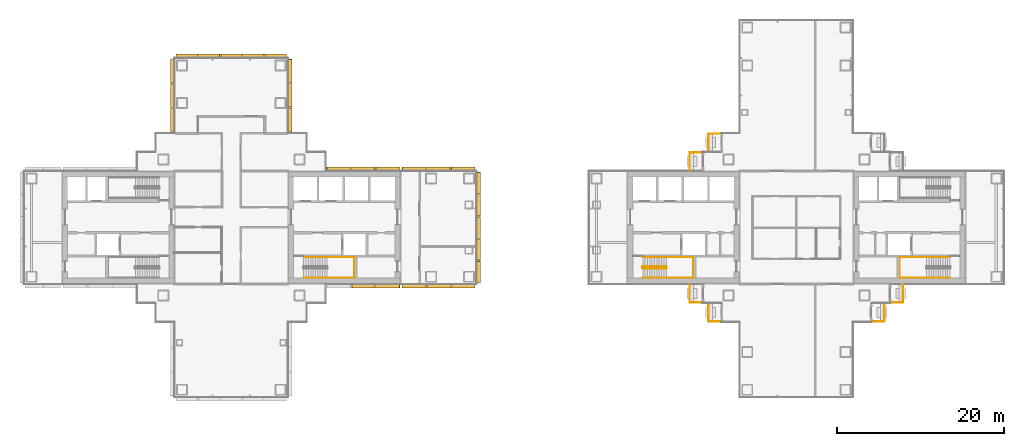
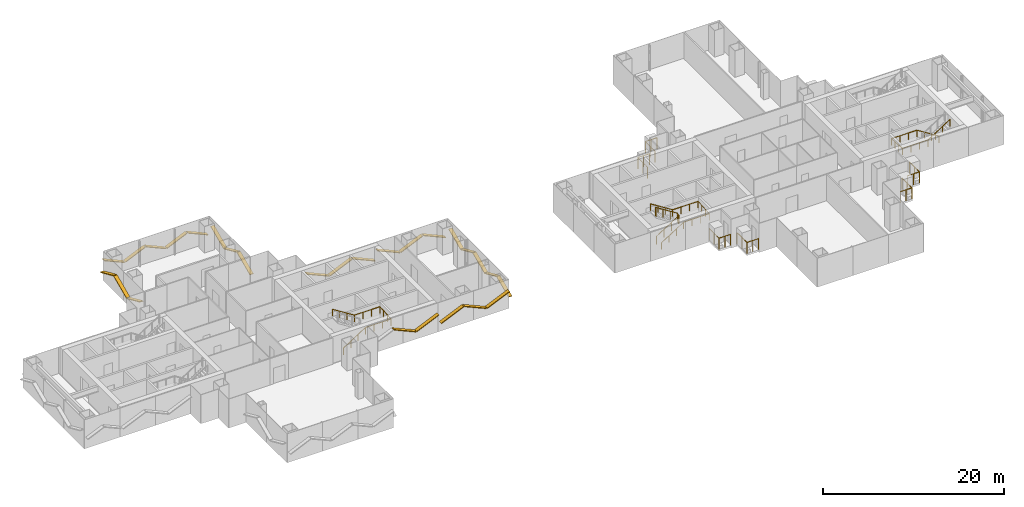
# One storey, part 17 of 19: 27 shading devices, 10 railings.
"""IFC4 building model written with IfcOpenShell, lengths in metres."""

from ifc_helpers import new_model, si_unit, direction, frame, origin, origin_2d, place, context, subcontext, project, spatial, rectangle, circle, extrude, material, material_profile, profile_set, type_object, element, save


model = new_model("IFC4")

# Units and contexts
model_context = context("Model", 3, precision=1e-05, world=origin(), true_north=direction((0.0, 1.0)))
body_context = subcontext(model_context, "Body", "Model", "MODEL_VIEW")
ifc_project = project(units=[si_unit("LENGTHUNIT", "METRE"), si_unit("AREAUNIT", "SQUARE_METRE"), si_unit("VOLUMEUNIT", "CUBIC_METRE"), si_unit("PLANEANGLEUNIT", "RADIAN"), si_unit("MASSUNIT", "GRAM", prefix="KILO")], contexts=[model_context])

# Site, building, storey
site_placement = place(None, origin())
site = spatial("IfcSite", under=ifc_project, at=site_placement, CompositionType="ELEMENT")
building_placement = place(site_placement, origin())
building = spatial("IfcBuilding", under=site, at=building_placement, Name="Shamsa Quay Exchange Towers", CompositionType="ELEMENT")
storey_placement = place(building_placement, frame((0.0, 0.0, 93.60009765625)))
storey = spatial("IfcBuildingStorey", under=building, at=storey_placement, Name="L21", CompositionType="ELEMENT", Elevation=93.60009765625)

# Railings
ifc_material_1 = material(Name="Steel S355, black powder-coated", Category="steel")
railing_type_1 = type_object("IfcRailingType", Name="BALCONY GUARD 1500", PredefinedType="GUARDRAIL", material=ifc_material_1)
for number, where, name in (
    (1, (24.72900390625, 11.199951171875, 0.0), "Balcony guard T2-PKEN L21"),
    (2, (22.47900390625, 8.949951171875, 0.0), "Balcony guard T2-PKEN L21"),
):
    element("IfcRailing", number, at=place(storey_placement, frame(where)), inside=storey, type_object=railing_type_1, Name=name, PredefinedType="GUARDRAIL", context=body_context, shape_type="SweptSolid", body=[
        extrude(circle(Radius=0.02392578125, at=origin_2d()), frame((0.0, 0.0, 1.47607421875), z_axis=(-1.0, 0.0, 0.0), x_axis=(0.0, -1.0, 0.0)), (0.0, 0.0, 1.0), 1.47900390625),
        extrude(circle(Radius=0.02392578125, at=origin_2d()), frame((-1.47900390625, 0.0, 1.47607421875), z_axis=(0.0, -1.0, 0.0), x_axis=(1.0, 0.0, 0.0)), (0.0, 0.0, 1.0), 2.161865234375),
        extrude(circle(Radius=0.02099609375, at=origin_2d()), origin(), (0.0, 0.0, 1.0), 1.451904296875),
        extrude(circle(Radius=0.02099609375, at=origin_2d()), frame((-0.739501953125, 0.0, 0.0)), (0.0, 0.0, 1.0), 1.451904296875),
        extrude(circle(Radius=0.02099609375, at=origin_2d()), frame((-1.47900390625, 0.0, 0.0)), (0.0, 0.0, 1.0), 1.451904296875),
        extrude(circle(Radius=0.02099609375, at=origin_2d()), frame((-1.47900390625, -1.0810546875, 0.0)), (0.0, 0.0, 1.0), 1.451904296875),
        extrude(circle(Radius=0.02099609375, at=origin_2d()), frame((-1.47900390625, -2.161865234375, 0.0)), (0.0, 0.0, 1.0), 1.451904296875),
    ])
for number, where, name in (
    (3, (21.0, -6.7880859375, 0.0), "Balcony guard T2-PKWN L21"),
    (4, (23.25, -9.0380859375, 0.0), "Balcony guard T2-PKWN L21"),
):
    element("IfcRailing", number, at=place(storey_placement, frame(where)), inside=storey, type_object=railing_type_1, Name=name, PredefinedType="GUARDRAIL", context=body_context, shape_type="SweptSolid", body=[
        extrude(circle(Radius=0.02392578125, at=origin_2d()), frame((0.0, 0.0, 1.47607421875), z_axis=(0.0, -1.0, 0.0), x_axis=(1.0, 0.0, 0.0)), (0.0, 0.0, 1.0), 2.161865234375),
        extrude(circle(Radius=0.02392578125, at=origin_2d()), frame((0.0, -2.161865234375, 1.47607421875), z_axis=(1.0, 0.0, 0.0), x_axis=(0.0, 1.0, 0.0)), (0.0, 0.0, 1.0), 1.47900390625),
        extrude(circle(Radius=0.02099609375, at=origin_2d()), origin(), (0.0, 0.0, 1.0), 1.451904296875),
        extrude(circle(Radius=0.02099609375, at=origin_2d()), frame((0.0, -1.0810546875, 0.0)), (0.0, 0.0, 1.0), 1.451904296875),
        extrude(circle(Radius=0.02099609375, at=origin_2d()), frame((0.0, -2.161865234375, 0.0)), (0.0, 0.0, 1.0), 1.451904296875),
        extrude(circle(Radius=0.02099609375, at=origin_2d()), frame((0.739501953125, -2.161865234375, 0.0)), (0.0, 0.0, 1.0), 1.451904296875),
        extrude(circle(Radius=0.02099609375, at=origin_2d()), frame((1.47900390625, -2.161865234375, 0.0)), (0.0, 0.0, 1.0), 1.451904296875),
    ])
for number, where, name in (
    (5, (42.77099609375, -11.199951171875, 0.0), "Balcony guard T2-PKWS L21"),
    (6, (45.02099609375, -8.949951171875, 0.0), "Balcony guard T2-PKWS L21"),
):
    element("IfcRailing", number, at=place(storey_placement, frame(where)), inside=storey, type_object=railing_type_1, Name=name, PredefinedType="GUARDRAIL", context=body_context, shape_type="SweptSolid", body=[
        extrude(circle(Radius=0.02392578125, at=origin_2d()), frame((0.0, 0.0, 1.47607421875), z_axis=(1.0, 0.0, 0.0), x_axis=(0.0, 1.0, 0.0)), (0.0, 0.0, 1.0), 1.47900390625),
        extrude(circle(Radius=0.02392578125, at=origin_2d()), frame((1.47900390625, 0.0, 1.47607421875), z_axis=(0.0, 1.0, 0.0), x_axis=(-1.0, 0.0, 0.0)), (0.0, 0.0, 1.0), 2.161865234375),
        extrude(circle(Radius=0.02099609375, at=origin_2d()), origin(), (0.0, 0.0, 1.0), 1.451904296875),
        extrude(circle(Radius=0.02099609375, at=origin_2d()), frame((0.739501953125, 0.0, 0.0)), (0.0, 0.0, 1.0), 1.451904296875),
        extrude(circle(Radius=0.02099609375, at=origin_2d()), frame((1.47900390625, 0.0, 0.0)), (0.0, 0.0, 1.0), 1.451904296875),
        extrude(circle(Radius=0.02099609375, at=origin_2d()), frame((1.47900390625, 1.0810546875, 0.0)), (0.0, 0.0, 1.0), 1.451904296875),
        extrude(circle(Radius=0.02099609375, at=origin_2d()), frame((1.47900390625, 2.161865234375, 0.0)), (0.0, 0.0, 1.0), 1.451904296875),
    ])

# Shading devices
ifc_material_2 = material(Name="Aluminium EN AW-6063 T6, black anodised", Category="aluminium")
ifc_material_profile = material_profile(ifc_material_2, rectangle(XDim=0.449951171875, YDim=0.10009765625, at=origin_2d()), Name="FIN450x100")
ifc_profile_set = profile_set([ifc_material_profile], Name="Aluminium EN AW-6063 T6, black anodised")
shading_device_type = type_object("IfcShadingDeviceType", Name="FIN 450x100 BLACK ALUMINIUM", PredefinedType="USERDEFINED", material=ifc_profile_set)
shading_device_1_placement = place(storey_placement, frame((-19.374755859375, -7.01904296875, 2.220458984375), z_axis=(0.913550687431, 0.0, -0.406724896576), x_axis=(0.0, 1.0, 0.0)))
element("IfcShadingDevice", 7, at=shading_device_1_placement, inside=storey, type_object=shading_device_type, Name="FIN T1 chevron rib", ObjectType="FIN", PredefinedType="USERDEFINED", context=body_context, shape_type="SweptSolid", body=[
    extrude(rectangle(XDim=0.449951171875, YDim=0.10009765625, at=origin_2d()), origin(), (0.0, 0.0, 1.0), 3.051025390625),
])
shading_device_2_placement = place(storey_placement, frame((-16.4873046875, -7.01904296875, 0.96826171875), z_axis=(0.913558535862, 0.0, 0.406707267643), x_axis=(0.0, 1.0, 0.0)))
element("IfcShadingDevice", 8, at=shading_device_2_placement, inside=storey, type_object=shading_device_type, Name="FIN T1 chevron rib", ObjectType="FIN", PredefinedType="USERDEFINED", context=body_context, shape_type="SweptSolid", body=[
    extrude(rectangle(XDim=0.449951171875, YDim=0.10009765625, at=origin_2d()), origin(), (0.0, 0.0, 1.0), 3.10595703125),
])
shading_device_3_placement = place(storey_placement, frame((-13.35009765625, -7.014892578125, 0.96533203125), z_axis=(0.913533816972, 0.0, 0.406762787444), x_axis=(0.0, 1.0, 0.0)))
element("IfcShadingDevice", 9, at=shading_device_3_placement, inside=storey, type_object=shading_device_type, Name="FIN T1 chevron rib", ObjectType="FIN", PredefinedType="USERDEFINED", context=body_context, shape_type="SweptSolid", body=[
    extrude(rectangle(XDim=0.449951171875, YDim=0.10009765625, at=origin_2d()), origin(), (0.0, 0.0, 1.0), 3.119873046875),
])
shading_device_4_placement = place(storey_placement, frame((-10.39990234375, -7.014892578125, 2.22314453125), z_axis=(0.913541981537, 0.0, -0.406744450447), x_axis=(0.0, 1.0, 0.0)))
element("IfcShadingDevice", 10, at=shading_device_4_placement, inside=storey, type_object=shading_device_type, Name="FIN T1 chevron rib", ObjectType="FIN", PredefinedType="USERDEFINED", context=body_context, shape_type="SweptSolid", body=[
    extrude(rectangle(XDim=0.449951171875, YDim=0.10009765625, at=origin_2d()), origin(), (0.0, 0.0, 1.0), 3.064697265625),
])
shading_device_5_placement = place(storey_placement, frame((-7.5, -7.014892578125, 0.96533203125), z_axis=(0.913533816972, 0.0, 0.406762787444), x_axis=(0.0, 1.0, 0.0)))
element("IfcShadingDevice", 11, at=shading_device_5_placement, inside=storey, type_object=shading_device_type, Name="FIN T1 chevron rib", ObjectType="FIN", PredefinedType="USERDEFINED", context=body_context, shape_type="SweptSolid", body=[
    extrude(rectangle(XDim=0.449951171875, YDim=0.10009765625, at=origin_2d()), origin(), (0.0, 0.0, 1.0), 3.119873046875),
])
shading_device_6_placement = place(storey_placement, frame((-4.235107421875, -6.60009765625, 1.0234375), z_axis=(0.0, 0.91355925163, 0.406705659859), x_axis=(-1.0, 0.0, 0.0)))
element("IfcShadingDevice", 12, at=shading_device_6_placement, inside=storey, type_object=shading_device_type, Name="FIN T1 chevron rib", ObjectType="FIN", PredefinedType="USERDEFINED", context=body_context, shape_type="SweptSolid", body=[
    extrude(rectangle(XDim=0.449951171875, YDim=0.10009765625, at=origin_2d()), origin(), (0.0, 0.0, 1.0), 2.835205078125),
])
shading_device_7_placement = place(storey_placement, frame((-4.235107421875, -3.909912109375, 2.165283203125), z_axis=(0.0, 0.913536125794, -0.406757602103), x_axis=(-1.0, 0.0, 0.0)))
element("IfcShadingDevice", 13, at=shading_device_7_placement, inside=storey, type_object=shading_device_type, Name="FIN T1 chevron rib", ObjectType="FIN", PredefinedType="USERDEFINED", context=body_context, shape_type="SweptSolid", body=[
    extrude(rectangle(XDim=0.449951171875, YDim=0.10009765625, at=origin_2d()), origin(), (0.0, 0.0, 1.0), 2.7802734375),
])
shading_device_8_placement = place(storey_placement, frame((-4.235107421875, -1.27001953125, 1.034423828125), z_axis=(0.0, 0.913550653139, 0.4067249736), x_axis=(-1.0, 0.0, 0.0)))
element("IfcShadingDevice", 14, at=shading_device_8_placement, inside=storey, type_object=shading_device_type, Name="FIN T1 chevron rib", ObjectType="FIN", PredefinedType="USERDEFINED", context=body_context, shape_type="SweptSolid", body=[
    extrude(rectangle(XDim=0.449951171875, YDim=0.10009765625, at=origin_2d()), origin(), (0.0, 0.0, 1.0), 2.780517578125),
])
shading_device_9_placement = place(storey_placement, frame((-4.235107421875, 1.3701171875, 2.165283203125), z_axis=(0.0, 0.913536125794, -0.406757602103), x_axis=(-1.0, 0.0, 0.0)))
element("IfcShadingDevice", 15, at=shading_device_9_placement, inside=storey, type_object=shading_device_type, Name="FIN T1 chevron rib", ObjectType="FIN", PredefinedType="USERDEFINED", context=body_context, shape_type="SweptSolid", body=[
    extrude(rectangle(XDim=0.449951171875, YDim=0.10009765625, at=origin_2d()), origin(), (0.0, 0.0, 1.0), 2.7802734375),
])
shading_device_10_placement = place(storey_placement, frame((-4.235107421875, 4.010009765625, 1.0234375), z_axis=(0.0, 0.91355925163, 0.406705659859), x_axis=(-1.0, 0.0, 0.0)))
element("IfcShadingDevice", 16, at=shading_device_10_placement, inside=storey, type_object=shading_device_type, Name="FIN T1 chevron rib", ObjectType="FIN", PredefinedType="USERDEFINED", context=body_context, shape_type="SweptSolid", body=[
    extrude(rectangle(XDim=0.449951171875, YDim=0.10009765625, at=origin_2d()), origin(), (0.0, 0.0, 1.0), 2.835205078125),
])
shading_device_11_placement = place(storey_placement, frame((-4.64990234375, 7.014892578125, 0.96533203125), z_axis=(-0.913533816972, 0.0, 0.406762787444), x_axis=(0.0, -1.0, 0.0)))
element("IfcShadingDevice", 17, at=shading_device_11_placement, inside=storey, type_object=shading_device_type, Name="FIN T1 chevron rib", ObjectType="FIN", PredefinedType="USERDEFINED", context=body_context, shape_type="SweptSolid", body=[
    extrude(rectangle(XDim=0.449951171875, YDim=0.10009765625, at=origin_2d()), origin(), (0.0, 0.0, 1.0), 3.119873046875),
])
shading_device_12_placement = place(storey_placement, frame((-7.60009765625, 7.014892578125, 2.22314453125), z_axis=(-0.913541981537, 0.0, -0.406744450447), x_axis=(0.0, -1.0, 0.0)))
element("IfcShadingDevice", 18, at=shading_device_12_placement, inside=storey, type_object=shading_device_type, Name="FIN T1 chevron rib", ObjectType="FIN", PredefinedType="USERDEFINED", context=body_context, shape_type="SweptSolid", body=[
    extrude(rectangle(XDim=0.449951171875, YDim=0.10009765625, at=origin_2d()), origin(), (0.0, 0.0, 1.0), 3.064697265625),
])
for number, where, z_axis, x_axis, name in (
    (19, (-10.5, 7.014892578125, 0.96533203125), (-0.913533816972, 0.0, 0.406762787444), (0.0, -1.0, 0.0), "FIN T1 chevron rib"),
    (20, (-13.64990234375, 7.01904296875, 0.96533203125), (-0.913533816972, 0.0, 0.406762787444), (0.0, -1.0, 0.0), "FIN T1 chevron rib"),
):
    element("IfcShadingDevice", number, at=place(storey_placement, frame(where, z_axis=z_axis, x_axis=x_axis)), inside=storey, type_object=shading_device_type, Name=name, ObjectType="FIN", PredefinedType="USERDEFINED", context=body_context, shape_type="SweptSolid", body=[
        extrude(rectangle(XDim=0.449951171875, YDim=0.10009765625, at=origin_2d()), origin(), (0.0, 0.0, 1.0), 3.119873046875),
    ])
shading_device_13_placement = place(storey_placement, frame((-16.60009765625, 7.01904296875, 2.22314453125), z_axis=(-0.913541981537, 0.0, -0.406744450447), x_axis=(0.0, -1.0, 0.0)))
element("IfcShadingDevice", 21, at=shading_device_13_placement, inside=storey, type_object=shading_device_type, Name="FIN T1 chevron rib", ObjectType="FIN", PredefinedType="USERDEFINED", context=body_context, shape_type="SweptSolid", body=[
    extrude(rectangle(XDim=0.449951171875, YDim=0.10009765625, at=origin_2d()), origin(), (0.0, 0.0, 1.0), 3.064697265625),
])
shading_device_14_placement = place(storey_placement, frame((-19.5, 7.01904296875, 0.96533203125), z_axis=(-0.913533816972, 0.0, 0.406762787444), x_axis=(0.0, -1.0, 0.0)))
element("IfcShadingDevice", 22, at=shading_device_14_placement, inside=storey, type_object=shading_device_type, Name="FIN T1 chevron rib", ObjectType="FIN", PredefinedType="USERDEFINED", context=body_context, shape_type="SweptSolid", body=[
    extrude(rectangle(XDim=0.449951171875, YDim=0.10009765625, at=origin_2d()), origin(), (0.0, 0.0, 1.0), 3.119873046875),
])
shading_device_15_placement = place(storey_placement, frame((-26.735107421875, 11.43798828125, 0.96826171875), z_axis=(0.0, 0.913558535862, 0.406707267643), x_axis=(-1.0, 0.0, 0.0)))
element("IfcShadingDevice", 23, at=shading_device_15_placement, inside=storey, type_object=shading_device_type, Name="FIN T1 chevron rib", ObjectType="FIN", PredefinedType="USERDEFINED", context=body_context, shape_type="SweptSolid", body=[
    extrude(rectangle(XDim=0.449951171875, YDim=0.10009765625, at=origin_2d()), origin(), (0.0, 0.0, 1.0), 3.10595703125),
])
shading_device_16_placement = place(storey_placement, frame((-26.735107421875, 14.375244140625, 2.220458984375), z_axis=(0.0, 0.913550687431, -0.406724896576), x_axis=(-1.0, 0.0, 0.0)))
element("IfcShadingDevice", 24, at=shading_device_16_placement, inside=storey, type_object=shading_device_type, Name="FIN T1 chevron rib", ObjectType="FIN", PredefinedType="USERDEFINED", context=body_context, shape_type="SweptSolid", body=[
    extrude(rectangle(XDim=0.449951171875, YDim=0.10009765625, at=origin_2d()), origin(), (0.0, 0.0, 1.0), 3.051025390625),
])
shading_device_17_placement = place(storey_placement, frame((-26.735107421875, 17.2626953125, 0.96826171875), z_axis=(0.0, 0.913558535862, 0.406707267643), x_axis=(-1.0, 0.0, 0.0)))
element("IfcShadingDevice", 25, at=shading_device_17_placement, inside=storey, type_object=shading_device_type, Name="FIN T1 chevron rib", ObjectType="FIN", PredefinedType="USERDEFINED", context=body_context, shape_type="SweptSolid", body=[
    extrude(rectangle(XDim=0.449951171875, YDim=0.10009765625, at=origin_2d()), origin(), (0.0, 0.0, 1.0), 3.10595703125),
])
shading_device_18_placement = place(storey_placement, frame((-27.14990234375, 20.514892578125, 1.0234375), z_axis=(-0.91355925163, 0.0, 0.406705659859), x_axis=(0.0, -1.0, 0.0)))
element("IfcShadingDevice", 26, at=shading_device_18_placement, inside=storey, type_object=shading_device_type, Name="FIN T1 chevron rib", ObjectType="FIN", PredefinedType="USERDEFINED", context=body_context, shape_type="SweptSolid", body=[
    extrude(rectangle(XDim=0.449951171875, YDim=0.10009765625, at=origin_2d()), origin(), (0.0, 0.0, 1.0), 2.835205078125),
])
shading_device_19_placement = place(storey_placement, frame((-29.840087890625, 20.514892578125, 2.165283203125), z_axis=(-0.913536125794, 0.0, -0.406757602103), x_axis=(0.0, -1.0, 0.0)))
element("IfcShadingDevice", 27, at=shading_device_19_placement, inside=storey, type_object=shading_device_type, Name="FIN T1 chevron rib", ObjectType="FIN", PredefinedType="USERDEFINED", context=body_context, shape_type="SweptSolid", body=[
    extrude(rectangle(XDim=0.449951171875, YDim=0.10009765625, at=origin_2d()), origin(), (0.0, 0.0, 1.0), 2.7802734375),
])
shading_device_20_placement = place(storey_placement, frame((-32.47998046875, 20.514892578125, 1.034423828125), z_axis=(-0.913550653139, 0.0, 0.4067249736), x_axis=(0.0, -1.0, 0.0)))
element("IfcShadingDevice", 28, at=shading_device_20_placement, inside=storey, type_object=shading_device_type, Name="FIN T1 chevron rib", ObjectType="FIN", PredefinedType="USERDEFINED", context=body_context, shape_type="SweptSolid", body=[
    extrude(rectangle(XDim=0.449951171875, YDim=0.10009765625, at=origin_2d()), origin(), (0.0, 0.0, 1.0), 2.780517578125),
])
shading_device_21_placement = place(storey_placement, frame((-35.1201171875, 20.514892578125, 2.165283203125), z_axis=(-0.913536125794, 0.0, -0.406757602103), x_axis=(0.0, -1.0, 0.0)))
element("IfcShadingDevice", 29, at=shading_device_21_placement, inside=storey, type_object=shading_device_type, Name="FIN T1 chevron rib", ObjectType="FIN", PredefinedType="USERDEFINED", context=body_context, shape_type="SweptSolid", body=[
    extrude(rectangle(XDim=0.449951171875, YDim=0.10009765625, at=origin_2d()), origin(), (0.0, 0.0, 1.0), 2.7802734375),
])
shading_device_22_placement = place(storey_placement, frame((-37.760009765625, 20.514892578125, 1.0234375), z_axis=(-0.91355925163, 0.0, 0.406705659859), x_axis=(0.0, -1.0, 0.0)))
element("IfcShadingDevice", 30, at=shading_device_22_placement, inside=storey, type_object=shading_device_type, Name="FIN T1 chevron rib", ObjectType="FIN", PredefinedType="USERDEFINED", context=body_context, shape_type="SweptSolid", body=[
    extrude(rectangle(XDim=0.449951171875, YDim=0.10009765625, at=origin_2d()), origin(), (0.0, 0.0, 1.0), 2.835205078125),
])
shading_device_23_placement = place(storey_placement, frame((-40.764892578125, 20.10009765625, 0.96533203125), z_axis=(0.0, -0.913533816972, 0.406762787444), x_axis=(1.0, 0.0, 0.0)))
element("IfcShadingDevice", 31, at=shading_device_23_placement, inside=storey, type_object=shading_device_type, Name="FIN T1 chevron rib", ObjectType="FIN", PredefinedType="USERDEFINED", context=body_context, shape_type="SweptSolid", body=[
    extrude(rectangle(XDim=0.449951171875, YDim=0.10009765625, at=origin_2d()), origin(), (0.0, 0.0, 1.0), 3.119873046875),
])
shading_device_24_placement = place(storey_placement, frame((-40.764892578125, 17.14990234375, 2.22314453125), z_axis=(0.0, -0.913541981537, -0.406744450447), x_axis=(1.0, 0.0, 0.0)))
element("IfcShadingDevice", 32, at=shading_device_24_placement, inside=storey, type_object=shading_device_type, Name="FIN T1 chevron rib", ObjectType="FIN", PredefinedType="USERDEFINED", context=body_context, shape_type="SweptSolid", body=[
    extrude(rectangle(XDim=0.449951171875, YDim=0.10009765625, at=origin_2d()), origin(), (0.0, 0.0, 1.0), 3.064697265625),
])
shading_device_25_placement = place(storey_placement, frame((-40.764892578125, 14.25, 0.96533203125), z_axis=(0.0, -0.913533816972, 0.406762787444), x_axis=(1.0, 0.0, 0.0)))
element("IfcShadingDevice", 33, at=shading_device_25_placement, inside=storey, type_object=shading_device_type, Name="FIN T1 chevron rib", ObjectType="FIN", PredefinedType="USERDEFINED", context=body_context, shape_type="SweptSolid", body=[
    extrude(rectangle(XDim=0.449951171875, YDim=0.10009765625, at=origin_2d()), origin(), (0.0, 0.0, 1.0), 3.119873046875),
])

# Railings
ifc_material_3 = material(Name="Stainless steel", Category="steel")
railing_type_2 = type_object("IfcRailingType", Name="STAIR GUARD 1100", PredefinedType="GUARDRAIL", material=ifc_material_3)
railing_1_placement = place(storey_placement, frame((15.39990234375, -4.89990234375, 0.17724609375)))
element("IfcRailing", 34, at=railing_1_placement, inside=storey, type_object=railing_type_2, Name="L21 ST4 stair guard 1", PredefinedType="GUARDRAIL", context=body_context, shape_type="SweptSolid", body=[
    extrude(circle(Radius=0.02392578125, at=origin_2d()), frame((0.0, 0.0, 1.076171875), z_axis=(0.844908973607, 0.0, 0.534910110503), x_axis=(0.0, 1.0, 0.0)), (0.0, 0.0, 1.0), 3.31396484375),
    extrude(circle(Radius=0.02392578125, at=origin_2d()), frame((2.800048828125, 0.0, 2.8486328125), z_axis=(0.708833529934, 0.705375805398, 0.0), x_axis=(-0.705375805398, 0.708833529934, 0.0)), (0.0, 0.0, 1.0), 0.070556640625),
    extrude(circle(Radius=0.02392578125, at=origin_2d()), frame((2.85009765625, 0.0498046875, 2.8486328125), z_axis=(0.0, 1.0, 0.0), x_axis=(-1.0, 0.0, 0.0)), (0.0, 0.0, 1.0), 0.150146484375),
    extrude(circle(Radius=0.02392578125, at=origin_2d()), frame((2.85009765625, 0.199951171875, 2.8486328125), z_axis=(-0.262233686654, 0.262233686654, 0.928691007369), x_axis=(-0.707106781187, -0.707106781187, 0.0)), (0.0, 0.0, 1.0), 0.19091796875),
    extrude(circle(Radius=0.02392578125, at=origin_2d()), frame((2.800048828125, 0.25, 3.02587890625), z_axis=(-0.844908973607, 0.0, 0.534910110503), x_axis=(0.0, -1.0, 0.0)), (0.0, 0.0, 1.0), 3.31396484375),
    extrude(circle(Radius=0.02392578125, at=origin_2d()), frame((0.0, 0.25, 4.798828125), z_axis=(-0.24142163986, -0.970420317083, 0.0), x_axis=(0.970420317083, -0.24142163986, 0.0)), (0.0, 0.0, 1.0), 0.206298828125),
    extrude(circle(Radius=0.02392578125, at=origin_2d()), frame((-0.0498046875, 0.0498046875, 4.798828125), z_axis=(0.0, 1.0, 0.0), x_axis=(-1.0, 0.0, 0.0)), (0.0, 0.0, 1.0), 0.150146484375),
    extrude(circle(Radius=0.02099609375, at=origin_2d()), origin(), (0.0, 0.0, 1.0), 1.052001953125),
    extrude(circle(Radius=0.02099609375, at=origin_2d()), frame((0.933349609375, 0.0, 0.5908203125)), (0.0, 0.0, 1.0), 1.052001953125),
    extrude(circle(Radius=0.02099609375, at=origin_2d()), frame((1.86669921875, 0.0, 1.181884765625)), (0.0, 0.0, 1.0), 1.052001953125),
    extrude(circle(Radius=0.02099609375, at=origin_2d()), frame((2.800048828125, 0.0, 1.772705078125)), (0.0, 0.0, 1.0), 1.052001953125),
    extrude(circle(Radius=0.02099609375, at=origin_2d()), frame((2.85009765625, 0.0498046875, 1.772705078125)), (0.0, 0.0, 1.0), 1.052001953125),
    extrude(circle(Radius=0.02099609375, at=origin_2d()), frame((2.85009765625, 0.199951171875, 1.772705078125)), (0.0, 0.0, 1.0), 1.052001953125),
    extrude(circle(Radius=0.02099609375, at=origin_2d()), frame((2.800048828125, 0.25, 1.949951171875)), (0.0, 0.0, 1.0), 1.052001953125),
    extrude(circle(Radius=0.02099609375, at=origin_2d()), frame((1.86669921875, 0.25, 2.540771484375)), (0.0, 0.0, 1.0), 1.052001953125),
    extrude(circle(Radius=0.02099609375, at=origin_2d()), frame((0.933349609375, 0.25, 3.1318359375)), (0.0, 0.0, 1.0), 1.052001953125),
    extrude(circle(Radius=0.02099609375, at=origin_2d()), frame((0.0, 0.25, 3.72265625)), (0.0, 0.0, 1.0), 1.052001953125),
    extrude(circle(Radius=0.02099609375, at=origin_2d()), frame((-0.0498046875, 0.0498046875, 3.72265625)), (0.0, 0.0, 1.0), 1.052001953125),
    extrude(circle(Radius=0.02099609375, at=origin_2d()), frame((-0.0498046875, 0.199951171875, 3.72265625)), (0.0, 0.0, 1.0), 1.052001953125),
])
railing_type_3 = type_object("IfcRailingType", Name="STAIR HANDRAIL 900", PredefinedType="HANDRAIL", material=ifc_material_3)
railing_2_placement = place(storey_placement, frame((-25.10009765625, -6.0, 0.17724609375)))
element("IfcRailing", 35, at=railing_2_placement, inside=storey, type_object=railing_type_3, Name="L21 ST1 stair handrail 1", PredefinedType="HANDRAIL", context=body_context, shape_type="SweptSolid", body=[
    extrude(circle(Radius=0.02392578125, at=origin_2d()), frame((0.0, 0.0, 0.8759765625), z_axis=(0.844908973607, 0.0, 0.534910110503), x_axis=(0.0, 1.0, 0.0)), (0.0, 0.0, 1.0), 3.31396484375),
    extrude(circle(Radius=0.02392578125, at=origin_2d()), frame((2.800048828125, 0.0, 2.6484375), z_axis=(1.0, 0.0, 0.0), x_axis=(0.0, 1.0, 0.0)), (0.0, 0.0, 1.0), 3.25),
    extrude(circle(Radius=0.02392578125, at=origin_2d()), frame((6.050048828125, 0.0, 2.6484375), z_axis=(0.0, 0.997393199914, 0.07215819264), x_axis=(-1.0, 0.0, 0.0)), (0.0, 0.0, 1.0), 2.456298828125),
    extrude(circle(Radius=0.02392578125, at=origin_2d()), frame((6.050048828125, 2.449951171875, 2.82568359375), z_axis=(-1.0, 0.0, 0.0), x_axis=(0.0, -1.0, 0.0)), (0.0, 0.0, 1.0), 3.25),
    extrude(circle(Radius=0.02392578125, at=origin_2d()), frame((2.800048828125, 2.449951171875, 2.82568359375), z_axis=(-0.844908973607, 0.0, 0.534910110503), x_axis=(0.0, -1.0, 0.0)), (0.0, 0.0, 1.0), 3.31396484375),
    extrude(circle(Radius=0.02099609375, at=origin_2d()), origin(), (0.0, 0.0, 1.0), 0.851806640625),
    extrude(circle(Radius=0.02099609375, at=origin_2d()), frame((0.933349609375, 0.0, 0.5908203125)), (0.0, 0.0, 1.0), 0.851806640625),
    extrude(circle(Radius=0.02099609375, at=origin_2d()), frame((1.86669921875, 0.0, 1.181884765625)), (0.0, 0.0, 1.0), 0.851806640625),
    extrude(circle(Radius=0.02099609375, at=origin_2d()), frame((2.800048828125, 0.0, 1.772705078125)), (0.0, 0.0, 1.0), 0.851806640625),
    extrude(circle(Radius=0.02099609375, at=origin_2d()), frame((3.88330078125, 0.0, 1.772705078125)), (0.0, 0.0, 1.0), 0.851806640625),
    extrude(circle(Radius=0.02099609375, at=origin_2d()), frame((4.966796875, 0.0, 1.772705078125)), (0.0, 0.0, 1.0), 0.851806640625),
    extrude(circle(Radius=0.02099609375, at=origin_2d()), frame((6.050048828125, 0.0, 1.772705078125)), (0.0, 0.0, 1.0), 0.851806640625),
    extrude(circle(Radius=0.02099609375, at=origin_2d()), frame((6.050048828125, 0.816650390625, 1.831787109375)), (0.0, 0.0, 1.0), 0.851806640625),
    extrude(circle(Radius=0.02099609375, at=origin_2d()), frame((6.050048828125, 1.63330078125, 1.890869140625)), (0.0, 0.0, 1.0), 0.851806640625),
    extrude(circle(Radius=0.02099609375, at=origin_2d()), frame((6.050048828125, 2.449951171875, 1.949951171875)), (0.0, 0.0, 1.0), 0.851806640625),
    extrude(circle(Radius=0.02099609375, at=origin_2d()), frame((4.966796875, 2.449951171875, 1.949951171875)), (0.0, 0.0, 1.0), 0.851806640625),
    extrude(circle(Radius=0.02099609375, at=origin_2d()), frame((3.88330078125, 2.449951171875, 1.949951171875)), (0.0, 0.0, 1.0), 0.851806640625),
    extrude(circle(Radius=0.02099609375, at=origin_2d()), frame((2.800048828125, 2.449951171875, 1.949951171875)), (0.0, 0.0, 1.0), 0.851806640625),
    extrude(circle(Radius=0.02099609375, at=origin_2d()), frame((1.86669921875, 2.449951171875, 2.540771484375)), (0.0, 0.0, 1.0), 0.851806640625),
    extrude(circle(Radius=0.02099609375, at=origin_2d()), frame((0.933349609375, 2.449951171875, 3.1318359375)), (0.0, 0.0, 1.0), 0.851806640625),
    extrude(circle(Radius=0.02099609375, at=origin_2d()), frame((0.0, 2.449951171875, 3.72265625)), (0.0, 0.0, 1.0), 0.851806640625),
])
railing_3_placement = place(storey_placement, frame((15.39990234375, -6.0, 0.17724609375)))
element("IfcRailing", 36, at=railing_3_placement, inside=storey, type_object=railing_type_3, Name="L21 ST4 stair handrail 1", PredefinedType="HANDRAIL", context=body_context, shape_type="SweptSolid", body=[
    extrude(circle(Radius=0.02392578125, at=origin_2d()), frame((0.0, 0.0, 0.8759765625), z_axis=(0.844908973607, 0.0, 0.534910110503), x_axis=(0.0, 1.0, 0.0)), (0.0, 0.0, 1.0), 3.31396484375),
    extrude(circle(Radius=0.02392578125, at=origin_2d()), frame((2.800048828125, 0.0, 2.6484375), z_axis=(1.0, 0.0, 0.0), x_axis=(0.0, 1.0, 0.0)), (0.0, 0.0, 1.0), 3.25),
    extrude(circle(Radius=0.02392578125, at=origin_2d()), frame((6.050048828125, 0.0, 2.6484375), z_axis=(0.0, 0.997393199914, 0.07215819264), x_axis=(-1.0, 0.0, 0.0)), (0.0, 0.0, 1.0), 2.456298828125),
    extrude(circle(Radius=0.02392578125, at=origin_2d()), frame((6.050048828125, 2.449951171875, 2.82568359375), z_axis=(-1.0, 0.0, 0.0), x_axis=(0.0, -1.0, 0.0)), (0.0, 0.0, 1.0), 3.25),
    extrude(circle(Radius=0.02392578125, at=origin_2d()), frame((2.800048828125, 2.449951171875, 2.82568359375), z_axis=(-0.844908973607, 0.0, 0.534910110503), x_axis=(0.0, -1.0, 0.0)), (0.0, 0.0, 1.0), 3.31396484375),
    extrude(circle(Radius=0.02099609375, at=origin_2d()), origin(), (0.0, 0.0, 1.0), 0.851806640625),
    extrude(circle(Radius=0.02099609375, at=origin_2d()), frame((0.933349609375, 0.0, 0.5908203125)), (0.0, 0.0, 1.0), 0.851806640625),
    extrude(circle(Radius=0.02099609375, at=origin_2d()), frame((1.86669921875, 0.0, 1.181884765625)), (0.0, 0.0, 1.0), 0.851806640625),
    extrude(circle(Radius=0.02099609375, at=origin_2d()), frame((2.800048828125, 0.0, 1.772705078125)), (0.0, 0.0, 1.0), 0.851806640625),
    extrude(circle(Radius=0.02099609375, at=origin_2d()), frame((3.88330078125, 0.0, 1.772705078125)), (0.0, 0.0, 1.0), 0.851806640625),
    extrude(circle(Radius=0.02099609375, at=origin_2d()), frame((4.966796875, 0.0, 1.772705078125)), (0.0, 0.0, 1.0), 0.851806640625),
    extrude(circle(Radius=0.02099609375, at=origin_2d()), frame((6.050048828125, 0.0, 1.772705078125)), (0.0, 0.0, 1.0), 0.851806640625),
    extrude(circle(Radius=0.02099609375, at=origin_2d()), frame((6.050048828125, 0.816650390625, 1.831787109375)), (0.0, 0.0, 1.0), 0.851806640625),
    extrude(circle(Radius=0.02099609375, at=origin_2d()), frame((6.050048828125, 1.63330078125, 1.890869140625)), (0.0, 0.0, 1.0), 0.851806640625),
    extrude(circle(Radius=0.02099609375, at=origin_2d()), frame((6.050048828125, 2.449951171875, 1.949951171875)), (0.0, 0.0, 1.0), 0.851806640625),
    extrude(circle(Radius=0.02099609375, at=origin_2d()), frame((4.966796875, 2.449951171875, 1.949951171875)), (0.0, 0.0, 1.0), 0.851806640625),
    extrude(circle(Radius=0.02099609375, at=origin_2d()), frame((3.88330078125, 2.449951171875, 1.949951171875)), (0.0, 0.0, 1.0), 0.851806640625),
    extrude(circle(Radius=0.02099609375, at=origin_2d()), frame((2.800048828125, 2.449951171875, 1.949951171875)), (0.0, 0.0, 1.0), 0.851806640625),
    extrude(circle(Radius=0.02099609375, at=origin_2d()), frame((1.86669921875, 2.449951171875, 2.540771484375)), (0.0, 0.0, 1.0), 0.851806640625),
    extrude(circle(Radius=0.02099609375, at=origin_2d()), frame((0.933349609375, 2.449951171875, 3.1318359375)), (0.0, 0.0, 1.0), 0.851806640625),
    extrude(circle(Radius=0.02099609375, at=origin_2d()), frame((0.0, 2.449951171875, 3.72265625)), (0.0, 0.0, 1.0), 0.851806640625),
])
railing_4_placement = place(storey_placement, frame((52.10009765625, -3.550048828125, 0.17724609375)))
element("IfcRailing", 37, at=railing_4_placement, inside=storey, type_object=railing_type_3, Name="L21 ST5 stair handrail 1", PredefinedType="HANDRAIL", context=body_context, shape_type="SweptSolid", body=[
    extrude(circle(Radius=0.02392578125, at=origin_2d()), frame((0.0, 0.0, 0.8759765625), z_axis=(-0.844908973607, 0.0, 0.534910110503), x_axis=(0.0, -1.0, 0.0)), (0.0, 0.0, 1.0), 3.31396484375),
    extrude(circle(Radius=0.02392578125, at=origin_2d()), frame((-2.800048828125, 0.0, 2.6484375), z_axis=(-1.0, 0.0, 0.0), x_axis=(0.0, -1.0, 0.0)), (0.0, 0.0, 1.0), 3.25),
    extrude(circle(Radius=0.02392578125, at=origin_2d()), frame((-6.050048828125, 0.0, 2.6484375), z_axis=(0.0, -0.997393199914, 0.07215819264), x_axis=(1.0, 0.0, 0.0)), (0.0, 0.0, 1.0), 2.456298828125),
    extrude(circle(Radius=0.02392578125, at=origin_2d()), frame((-6.050048828125, -2.449951171875, 2.82568359375), z_axis=(1.0, 0.0, 0.0), x_axis=(0.0, 1.0, 0.0)), (0.0, 0.0, 1.0), 3.25),
    extrude(circle(Radius=0.02392578125, at=origin_2d()), frame((-2.800048828125, -2.449951171875, 2.82568359375), z_axis=(0.844908973607, 0.0, 0.534910110503), x_axis=(0.0, 1.0, 0.0)), (0.0, 0.0, 1.0), 3.31396484375),
    extrude(circle(Radius=0.02099609375, at=origin_2d()), origin(), (0.0, 0.0, 1.0), 0.851806640625),
    extrude(circle(Radius=0.02099609375, at=origin_2d()), frame((-0.933349609375, 0.0, 0.5908203125)), (0.0, 0.0, 1.0), 0.851806640625),
    extrude(circle(Radius=0.02099609375, at=origin_2d()), frame((-1.86669921875, 0.0, 1.181884765625)), (0.0, 0.0, 1.0), 0.851806640625),
    extrude(circle(Radius=0.02099609375, at=origin_2d()), frame((-2.800048828125, 0.0, 1.772705078125)), (0.0, 0.0, 1.0), 0.851806640625),
    extrude(circle(Radius=0.02099609375, at=origin_2d()), frame((-3.88330078125, 0.0, 1.772705078125)), (0.0, 0.0, 1.0), 0.851806640625),
    extrude(circle(Radius=0.02099609375, at=origin_2d()), frame((-4.966796875, 0.0, 1.772705078125)), (0.0, 0.0, 1.0), 0.851806640625),
    extrude(circle(Radius=0.02099609375, at=origin_2d()), frame((-6.050048828125, 0.0, 1.772705078125)), (0.0, 0.0, 1.0), 0.851806640625),
    extrude(circle(Radius=0.02099609375, at=origin_2d()), frame((-6.050048828125, -0.816650390625, 1.831787109375)), (0.0, 0.0, 1.0), 0.851806640625),
    extrude(circle(Radius=0.02099609375, at=origin_2d()), frame((-6.050048828125, -1.63330078125, 1.890869140625)), (0.0, 0.0, 1.0), 0.851806640625),
    extrude(circle(Radius=0.02099609375, at=origin_2d()), frame((-6.050048828125, -2.449951171875, 1.949951171875)), (0.0, 0.0, 1.0), 0.851806640625),
    extrude(circle(Radius=0.02099609375, at=origin_2d()), frame((-4.966796875, -2.449951171875, 1.949951171875)), (0.0, 0.0, 1.0), 0.851806640625),
    extrude(circle(Radius=0.02099609375, at=origin_2d()), frame((-3.88330078125, -2.449951171875, 1.949951171875)), (0.0, 0.0, 1.0), 0.851806640625),
    extrude(circle(Radius=0.02099609375, at=origin_2d()), frame((-2.800048828125, -2.449951171875, 1.949951171875)), (0.0, 0.0, 1.0), 0.851806640625),
    extrude(circle(Radius=0.02099609375, at=origin_2d()), frame((-1.86669921875, -2.449951171875, 2.540771484375)), (0.0, 0.0, 1.0), 0.851806640625),
    extrude(circle(Radius=0.02099609375, at=origin_2d()), frame((-0.933349609375, -2.449951171875, 3.1318359375)), (0.0, 0.0, 1.0), 0.851806640625),
    extrude(circle(Radius=0.02099609375, at=origin_2d()), frame((0.0, -2.449951171875, 3.72265625)), (0.0, 0.0, 1.0), 0.851806640625),
])

save(model, "model.ifc")
